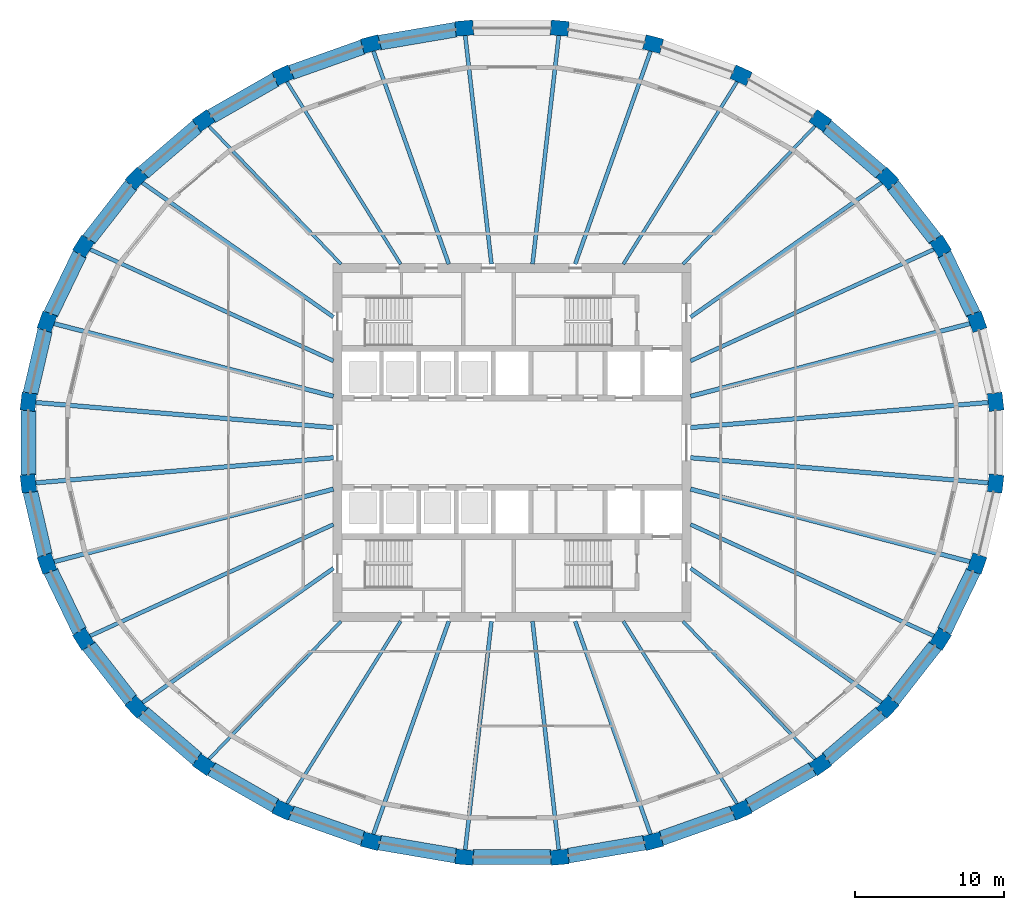
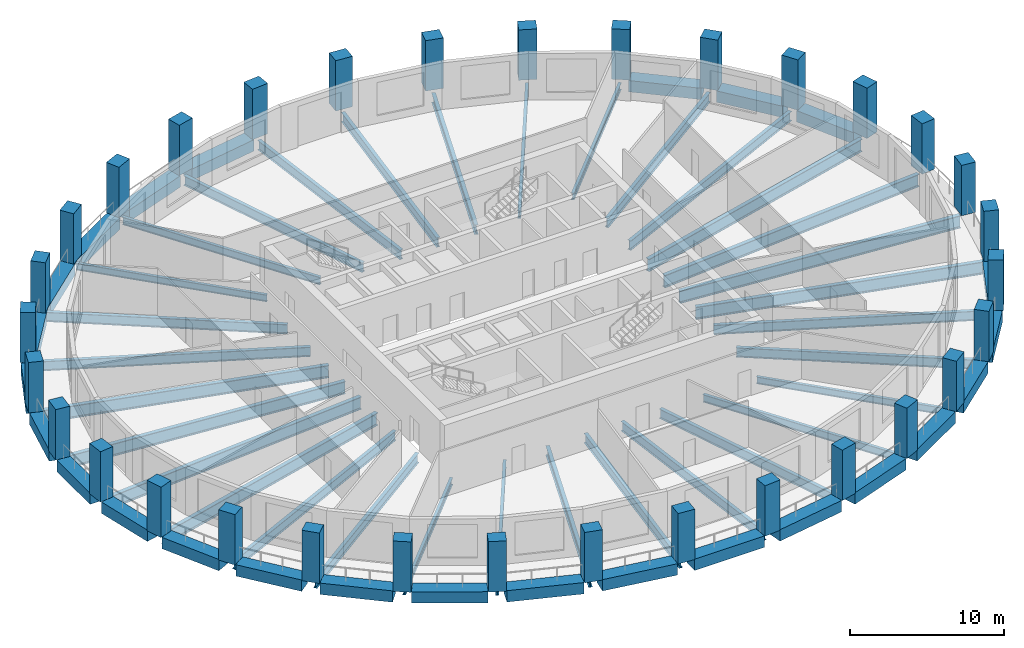
# One storey, part 1 of 10: 57 beams, 32 columns.
"""IFC4 building model written with IfcOpenShell, lengths in metres."""

from ifc_helpers import new_model, si_unit, direction, frame, origin, origin_2d, place, context, subcontext, project, spatial, rectangle, i_section, extrude, material, material_profile, profile_set, type_object, element, save


model = new_model("IFC4")

# Units and contexts
model_context = context("Model", 3, precision=1e-05, world=origin(), true_north=direction((0.0, 1.0)))
body_context = subcontext(model_context, "Body", "Model", "MODEL_VIEW")
ifc_project = project(units=[si_unit("LENGTHUNIT", "METRE"), si_unit("AREAUNIT", "SQUARE_METRE"), si_unit("VOLUMEUNIT", "CUBIC_METRE"), si_unit("PLANEANGLEUNIT", "RADIAN"), si_unit("MASSUNIT", "GRAM", prefix="KILO")], contexts=[model_context])

# Site, building, storey
site_placement = place(None, origin())
site = spatial("IfcSite", under=ifc_project, at=site_placement, CompositionType="ELEMENT")
building_placement = place(site_placement, origin())
building = spatial("IfcBuilding", under=site, at=building_placement, Name="Halqa Exchange Tower", CompositionType="ELEMENT")
storey_placement = place(building_placement, frame((0.0, 0.0, 194.89990234375)))
storey = spatial("IfcBuildingStorey", under=building, at=storey_placement, Name="L44", CompositionType="ELEMENT", Elevation=194.89990234375)

# Columns
ifc_material_1 = material(Name="Concrete C60/75", Category="concrete")
ifc_material_profile_1 = material_profile(ifc_material_1, rectangle(XDim=1.199951171875, YDim=1.0, at=origin_2d()), Name="1200 x 1000")
ifc_profile_set_1 = profile_set([ifc_material_profile_1], Name="Concrete C60/75")
column_type = type_object("IfcColumnType", Name="RC ring column 1200 x 1000 C60/75", PredefinedType="COLUMN", material=ifc_profile_set_1)
for number, where, z_axis, x_axis, name in (
    (1, (32.422119140625, 2.737060546875, 0.0), (0.0, 0.0, 1.0), (-0.114149986297, 0.993463527578, 0.0), "Ring column 1"),
    (2, (31.176025390625, 8.106201171875, 0.0), (0.0, 0.0, 1.0), (-0.333625878908, 0.942705560036, 0.0), "Ring column 2"),
    (3, (28.73193359375, 13.163818359375, 0.0), (0.0, 0.0, 1.0), (-0.529144939165, 0.848531456904, 0.0), "Ring column 3"),
    (4, (25.183837890625, 17.71533203125, 0.0), (0.0, 0.0, 1.0), (-0.691576091297, 0.722303613411, 0.0), "Ring column 4"),
    (5, (20.667724609375, 21.586181640625, 0.0), (0.0, 0.0, 1.0), (-0.817905775493, 0.575352189893, 0.0), "Ring column 5"),
    (6, (15.357666015625, 24.62744140625, 0.0), (0.0, 0.0, 1.0), (-0.909125641902, 0.416521988898, 0.0), "Ring column 6"),
    (7, (9.457275390625, 26.722412109375, 0.0), (0.0, 0.0, 1.0), (-0.96782082117, 0.251640334823, 0.0), "Ring column 7"),
    (8, (3.193359375, 27.790283203125, 0.0), (0.0, 0.0, 1.0), (-0.99645595943, 0.084116115675, 0.0), "Ring column 8"),
    (9, (-3.193359375, 27.790283203125, 0.0), (0.0, 0.0, 1.0), (-0.99645595943, -0.084116115675, 0.0), "Ring column 9"),
    (10, (-9.457275390625, 26.722412109375, 0.0), (0.0, 0.0, 1.0), (-0.96782082117, -0.251640334823, 0.0), "Ring column 10"),
    (11, (-15.357666015625, 24.62744140625, 0.0), (0.0, 0.0, 1.0), (-0.909125641902, -0.416521988898, 0.0), "Ring column 11"),
    (12, (-20.667724609375, 21.586181640625, 0.0), (0.0, 0.0, 1.0), (-0.817905775493, -0.575352189893, 0.0), "Ring column 12"),
    (13, (-25.183837890625, 17.71533203125, 0.0), (0.0, 0.0, 1.0), (-0.691576091297, -0.722303613411, 0.0), "Ring column 13"),
    (14, (-28.73193359375, 13.163818359375, 0.0), (0.0, 0.0, 1.0), (-0.529144939165, -0.848531456904, 0.0), "Ring column 14"),
    (15, (-31.176025390625, 8.106201171875, 0.0), (0.0, 0.0, 1.0), (-0.333625878908, -0.942705560036, 0.0), "Ring column 15"),
    (16, (-32.422119140625, 2.737060546875, 0.0), (0.0, 0.0, 1.0), (-0.114149986297, -0.993463527578, 0.0), "Ring column 16"),
    (17, (-32.422119140625, -2.737060546875, 0.0), (0.0, 0.0, 1.0), (0.114149986297, -0.993463527578, 0.0), "Ring column 17"),
    (18, (-31.176025390625, -8.106201171875, 0.0), (0.0, 0.0, 1.0), (0.333625878908, -0.942705560036, 0.0), "Ring column 18"),
    (19, (-28.73193359375, -13.163818359375, 0.0), (0.0, 0.0, 1.0), (0.529144939165, -0.848531456904, 0.0), "Ring column 19"),
    (20, (-25.183837890625, -17.71533203125, 0.0), (0.0, 0.0, 1.0), (0.691576091297, -0.722303613411, 0.0), "Ring column 20"),
    (21, (-20.667724609375, -21.586181640625, 0.0), (0.0, 0.0, 1.0), (0.817905775493, -0.575352189893, 0.0), "Ring column 21"),
    (22, (-15.357666015625, -24.62744140625, 0.0), (0.0, 0.0, 1.0), (0.909125641902, -0.416521988898, 0.0), "Ring column 22"),
    (23, (-9.457275390625, -26.722412109375, 0.0), (0.0, 0.0, 1.0), (0.96782082117, -0.251640334823, 0.0), "Ring column 23"),
    (24, (-3.193359375, -27.790283203125, 0.0), (0.0, 0.0, 1.0), (0.99645595943, -0.084116115675, 0.0), "Ring column 24"),
    (25, (3.193359375, -27.790283203125, 0.0), (0.0, 0.0, 1.0), (0.99645595943, 0.084116115675, 0.0), "Ring column 25"),
    (26, (9.457275390625, -26.722412109375, 0.0), (0.0, 0.0, 1.0), (0.96782082117, 0.251640334823, 0.0), "Ring column 26"),
    (27, (15.357666015625, -24.62744140625, 0.0), (0.0, 0.0, 1.0), (0.909125641902, 0.416521988898, 0.0), "Ring column 27"),
    (28, (20.667724609375, -21.586181640625, 0.0), (0.0, 0.0, 1.0), (0.817905775493, 0.575352189893, 0.0), "Ring column 28"),
    (29, (25.183837890625, -17.71533203125, 0.0), (0.0, 0.0, 1.0), (0.691576091297, 0.722303613411, 0.0), "Ring column 29"),
    (30, (28.73193359375, -13.163818359375, 0.0), (0.0, 0.0, 1.0), (0.529144939165, 0.848531456904, 0.0), "Ring column 30"),
    (31, (31.176025390625, -8.106201171875, 0.0), (0.0, 0.0, 1.0), (0.333625878908, 0.942705560036, 0.0), "Ring column 31"),
    (32, (32.422119140625, -2.737060546875, 0.0), (0.0, 0.0, 1.0), (0.114149986297, 0.993463527578, 0.0), "Ring column 32"),
):
    element("IfcColumn", number, at=place(storey_placement, frame(where, z_axis=z_axis, x_axis=x_axis)), inside=storey, type_object=column_type, Name=name, PredefinedType="COLUMN", context=body_context, shape_type="SweptSolid", body=[
        extrude(rectangle(XDim=1.199951171875, YDim=1.0, at=origin_2d()), origin(), (0.0, 0.0, 1.0), 4.0),
    ])

# Beams
ifc_material_2 = material(Name="Steel S355", Category="steel")
ifc_material_profile_2 = material_profile(ifc_material_2, i_section(OverallWidth=0.300048828125, OverallDepth=0.989990234375, WebThickness=0.0166015625, FlangeThickness=0.031005859375, FilletRadius=0.030029296875, at=origin_2d()), Name="HEA 1000")
ifc_profile_set_2 = profile_set([ifc_material_profile_2], Name="Steel S355")
beam_type_1 = type_object("IfcBeamType", Name="Floor beam HEA 1000", PredefinedType="BEAM", material=ifc_profile_set_2)
beam_1_placement = place(storey_placement, frame((11.972412109375, 1.0107421875, -0.794921875), z_axis=(0.996455519118, 0.084121331533, 0.0), x_axis=(-0.084121331533, 0.996455519118, 0.0)))
element("IfcBeam", 33, at=beam_1_placement, inside=storey, type_object=beam_type_1, Name="Radial beam 1", PredefinedType="BEAM", context=body_context, shape_type="SweptSolid", body=[
    extrude(i_section(OverallWidth=0.300048828125, OverallDepth=0.989990234375, WebThickness=0.0166015625, FlangeThickness=0.031005859375, FilletRadius=0.030029296875, at=origin_2d()), origin(), (0.0, 0.0, 1.0), 20.150390625),
])
for number, where, z_axis, x_axis, name in (
    (34, (11.97119140625, 3.112548828125, -0.794921875), (0.967819636099, 0.251644892619, 0.0), (-0.251644892619, 0.967819636099, 0.0), "Radial beam 2"),
    (35, (-11.97119140625, 3.112548828125, -0.794921875), (-0.967819636099, 0.251644892619, 0.0), (-0.251644892619, -0.967819636099, 0.0), "Radial beam 15"),
):
    element("IfcBeam", number, at=place(storey_placement, frame(where, z_axis=z_axis, x_axis=x_axis)), inside=storey, type_object=beam_type_1, Name=name, PredefinedType="BEAM", context=body_context, shape_type="SweptSolid", body=[
        extrude(i_section(OverallWidth=0.300048828125, OverallDepth=0.989990234375, WebThickness=0.0166015625, FlangeThickness=0.031005859375, FilletRadius=0.030029296875, at=origin_2d()), origin(), (0.0, 0.0, 1.0), 19.469482421875),
    ])
for number, where, z_axis, x_axis, name in (
    (36, (-11.972412109375, 1.0107421875, -0.794921875), (-0.996455519118, 0.084121331533, 0.0), (-0.084121331533, -0.996455519118, 0.0), "Radial beam 16"),
    (37, (-11.972412109375, -1.0107421875, -0.794921875), (-0.996455519118, -0.084121331533, 0.0), (0.084121331533, -0.996455519118, 0.0), "Radial beam 17"),
):
    element("IfcBeam", number, at=place(storey_placement, frame(where, z_axis=z_axis, x_axis=x_axis)), inside=storey, type_object=beam_type_1, Name=name, PredefinedType="BEAM", context=body_context, shape_type="SweptSolid", body=[
        extrude(i_section(OverallWidth=0.300048828125, OverallDepth=0.989990234375, WebThickness=0.0166015625, FlangeThickness=0.031005859375, FilletRadius=0.030029296875, at=origin_2d()), origin(), (0.0, 0.0, 1.0), 20.150390625),
    ])
for number, where, z_axis, x_axis, name in (
    (38, (-11.97119140625, -3.112548828125, -0.794921875), (-0.967819636099, -0.251644892619, 0.0), (0.251644892619, -0.967819636099, 0.0), "Radial beam 18"),
    (39, (11.97119140625, -3.112548828125, -0.794921875), (0.967819636099, -0.251644892619, 0.0), (0.251644892619, 0.967819636099, 0.0), "Radial beam 31"),
):
    element("IfcBeam", number, at=place(storey_placement, frame(where, z_axis=z_axis, x_axis=x_axis)), inside=storey, type_object=beam_type_1, Name=name, PredefinedType="BEAM", context=body_context, shape_type="SweptSolid", body=[
        extrude(i_section(OverallWidth=0.300048828125, OverallDepth=0.989990234375, WebThickness=0.0166015625, FlangeThickness=0.031005859375, FilletRadius=0.030029296875, at=origin_2d()), origin(), (0.0, 0.0, 1.0), 19.469482421875),
    ])
beam_2_placement = place(storey_placement, frame((11.972412109375, -1.0107421875, -0.794921875), z_axis=(0.996455519118, -0.084121331533, 0.0), x_axis=(0.084121331533, 0.996455519118, 0.0)))
element("IfcBeam", 40, at=beam_2_placement, inside=storey, type_object=beam_type_1, Name="Radial beam 32", PredefinedType="BEAM", context=body_context, shape_type="SweptSolid", body=[
    extrude(i_section(OverallWidth=0.300048828125, OverallDepth=0.989990234375, WebThickness=0.0166015625, FlangeThickness=0.031005859375, FilletRadius=0.030029296875, at=origin_2d()), origin(), (0.0, 0.0, 1.0), 20.150390625),
])
ifc_material_profile_3 = material_profile(ifc_material_2, i_section(OverallWidth=0.2099609375, OverallDepth=0.550048828125, WebThickness=0.010986328125, FlangeThickness=0.01708984375, FilletRadius=0.02392578125, at=origin_2d()), Name="IPE 550")
ifc_profile_set_3 = profile_set([ifc_material_profile_3], Name="Steel S355")
beam_type_2 = type_object("IfcBeamType", Name="Floor beam IPE 550", PredefinedType="BEAM", material=ifc_profile_set_3)
for number, where, z_axis, x_axis, name in (
    (41, (11.462646484375, 11.971923828125, -0.574951171875), (0.691565841916, 0.722313426634, 0.0), (-0.722313426634, 0.691565841916, 0.0), "Radial beam 5"),
    (42, (-11.462646484375, 11.971923828125, -0.574951171875), (-0.691565841916, 0.722313426634, 0.0), (-0.722313426634, -0.691565841916, 0.0), "Radial beam 12"),
    (43, (-11.462646484375, -11.971923828125, -0.574951171875), (-0.691565841916, -0.722313426634, 0.0), (0.722313426634, -0.691565841916, 0.0), "Radial beam 21"),
    (44, (11.462646484375, -11.971923828125, -0.574951171875), (0.691565841916, -0.722313426634, 0.0), (0.722313426634, 0.691565841916, 0.0), "Radial beam 28"),
):
    element("IfcBeam", number, at=place(storey_placement, frame(where, z_axis=z_axis, x_axis=x_axis)), inside=storey, type_object=beam_type_2, Name=name, PredefinedType="BEAM", context=body_context, shape_type="SweptSolid", body=[
        extrude(i_section(OverallWidth=0.2099609375, OverallDepth=0.550048828125, WebThickness=0.010986328125, FlangeThickness=0.01708984375, FilletRadius=0.02392578125, at=origin_2d()), origin(), (0.0, 0.0, 1.0), 12.9345703125),
    ])
ifc_material_profile_4 = material_profile(ifc_material_2, i_section(OverallWidth=0.219970703125, OverallDepth=0.60009765625, WebThickness=0.011962890625, FlangeThickness=0.01904296875, FilletRadius=0.02392578125, at=origin_2d()), Name="IPE 600")
ifc_profile_set_4 = profile_set([ifc_material_profile_4], Name="Steel S355")
beam_type_3 = type_object("IfcBeamType", Name="Floor beam IPE 600", PredefinedType="BEAM", material=ifc_profile_set_4)
for number, where, z_axis, x_axis, name in (
    (45, (7.4658203125, 11.972412109375, -0.599853515625), (0.529145816582, 0.848530909746, 0.0), (-0.848530909746, 0.529145816582, 0.0), "Radial beam 6"),
    (46, (-7.4658203125, 11.972412109375, -0.599853515625), (-0.529145816582, 0.848530909746, 0.0), (-0.848530909746, -0.529145816582, 0.0), "Radial beam 11"),
    (47, (-7.4658203125, -11.972412109375, -0.599853515625), (-0.529145816582, -0.848530909746, 0.0), (0.848530909746, -0.529145816582, 0.0), "Radial beam 22"),
    (48, (7.4658203125, -11.972412109375, -0.599853515625), (0.529145816582, -0.848530909746, 0.0), (0.848530909746, 0.529145816582, 0.0), "Radial beam 27"),
):
    element("IfcBeam", number, at=place(storey_placement, frame(where, z_axis=z_axis, x_axis=x_axis)), inside=storey, type_object=beam_type_3, Name=name, PredefinedType="BEAM", context=body_context, shape_type="SweptSolid", body=[
        extrude(i_section(OverallWidth=0.219970703125, OverallDepth=0.60009765625, WebThickness=0.011962890625, FlangeThickness=0.01904296875, FilletRadius=0.02392578125, at=origin_2d()), origin(), (0.0, 0.0, 1.0), 14.538330078125),
    ])
ifc_material_profile_5 = material_profile(ifc_material_2, i_section(OverallWidth=0.264892578125, OverallDepth=0.7529296875, WebThickness=0.01318359375, FlangeThickness=0.01708984375, FilletRadius=0.01708984375, at=origin_2d()), Name="IPE 750x147")
ifc_profile_set_5 = profile_set([ifc_material_profile_5], Name="Steel S355")
beam_type_4 = type_object("IfcBeamType", Name="Floor beam IPE 750x147", PredefinedType="BEAM", material=ifc_profile_set_5)
beam_3_placement = place(storey_placement, frame((11.972412109375, 5.4853515625, -0.676513671875), z_axis=(0.909129033384, 0.416514586369, 0.0), x_axis=(-0.416514586369, 0.909129033384, 0.0)))
element("IfcBeam", 49, at=beam_3_placement, inside=storey, type_object=beam_type_4, Name="Radial beam 3", PredefinedType="BEAM", context=body_context, shape_type="SweptSolid", body=[
    extrude(i_section(OverallWidth=0.264892578125, OverallDepth=0.7529296875, WebThickness=0.01318359375, FlangeThickness=0.01708984375, FilletRadius=0.01708984375, at=origin_2d()), origin(), (0.0, 0.0, 1.0), 18.058837890625),
])
beam_4_placement = place(storey_placement, frame((11.97216796875, 8.421630859375, -0.676513671875), z_axis=(0.817902974143, 0.5753561722, 0.0), x_axis=(-0.5753561722, 0.817902974143, 0.0)))
element("IfcBeam", 50, at=beam_4_placement, inside=storey, type_object=beam_type_4, Name="Radial beam 4", PredefinedType="BEAM", context=body_context, shape_type="SweptSolid", body=[
    extrude(i_section(OverallWidth=0.264892578125, OverallDepth=0.7529296875, WebThickness=0.01318359375, FlangeThickness=0.01708984375, FilletRadius=0.01708984375, at=origin_2d()), origin(), (0.0, 0.0, 1.0), 15.777099609375),
])
beam_5_placement = place(storey_placement, frame((4.23681640625, 11.9716796875, -0.676513671875), z_axis=(0.333634381402, 0.942702550939, 0.0), x_axis=(-0.942702550939, 0.333634381402, 0.0)))
element("IfcBeam", 51, at=beam_5_placement, inside=storey, type_object=beam_type_4, Name="Radial beam 7", PredefinedType="BEAM", context=body_context, shape_type="SweptSolid", body=[
    extrude(i_section(OverallWidth=0.264892578125, OverallDepth=0.7529296875, WebThickness=0.01318359375, FlangeThickness=0.01708984375, FilletRadius=0.01708984375, at=origin_2d()), origin(), (0.0, 0.0, 1.0), 15.273193359375),
])
for number, where, z_axis, x_axis, name in (
    (52, (1.375732421875, 11.972900390625, -0.676513671875), (0.114161639425, 0.993462188553, 0.0), (-0.993462188553, 0.114161639425, 0.0), "Radial beam 8"),
    (53, (-1.375732421875, 11.972900390625, -0.676513671875), (-0.114161639425, 0.993462188553, 0.0), (-0.993462188553, -0.114161639425, 0.0), "Radial beam 9"),
):
    element("IfcBeam", number, at=place(storey_placement, frame(where, z_axis=z_axis, x_axis=x_axis)), inside=storey, type_object=beam_type_4, Name=name, PredefinedType="BEAM", context=body_context, shape_type="SweptSolid", body=[
        extrude(i_section(OverallWidth=0.264892578125, OverallDepth=0.7529296875, WebThickness=0.01318359375, FlangeThickness=0.01708984375, FilletRadius=0.01708984375, at=origin_2d()), origin(), (0.0, 0.0, 1.0), 15.54931640625),
    ])
beam_6_placement = place(storey_placement, frame((-4.23681640625, 11.9716796875, -0.676513671875), z_axis=(-0.333634381402, 0.942702550939, 0.0), x_axis=(-0.942702550939, -0.333634381402, 0.0)))
element("IfcBeam", 54, at=beam_6_placement, inside=storey, type_object=beam_type_4, Name="Radial beam 10", PredefinedType="BEAM", context=body_context, shape_type="SweptSolid", body=[
    extrude(i_section(OverallWidth=0.264892578125, OverallDepth=0.7529296875, WebThickness=0.01318359375, FlangeThickness=0.01708984375, FilletRadius=0.01708984375, at=origin_2d()), origin(), (0.0, 0.0, 1.0), 15.273193359375),
])
beam_7_placement = place(storey_placement, frame((-11.97216796875, 8.421630859375, -0.676513671875), z_axis=(-0.817902974143, 0.5753561722, 0.0), x_axis=(-0.5753561722, -0.817902974143, 0.0)))
element("IfcBeam", 55, at=beam_7_placement, inside=storey, type_object=beam_type_4, Name="Radial beam 13", PredefinedType="BEAM", context=body_context, shape_type="SweptSolid", body=[
    extrude(i_section(OverallWidth=0.264892578125, OverallDepth=0.7529296875, WebThickness=0.01318359375, FlangeThickness=0.01708984375, FilletRadius=0.01708984375, at=origin_2d()), origin(), (0.0, 0.0, 1.0), 15.777099609375),
])
for number, where, z_axis, x_axis, name in (
    (56, (-11.972412109375, 5.4853515625, -0.676513671875), (-0.909129033384, 0.416514586369, 0.0), (-0.416514586369, -0.909129033384, 0.0), "Radial beam 14"),
    (57, (-11.972412109375, -5.4853515625, -0.676513671875), (-0.909129033384, -0.416514586369, 0.0), (0.416514586369, -0.909129033384, 0.0), "Radial beam 19"),
):
    element("IfcBeam", number, at=place(storey_placement, frame(where, z_axis=z_axis, x_axis=x_axis)), inside=storey, type_object=beam_type_4, Name=name, PredefinedType="BEAM", context=body_context, shape_type="SweptSolid", body=[
        extrude(i_section(OverallWidth=0.264892578125, OverallDepth=0.7529296875, WebThickness=0.01318359375, FlangeThickness=0.01708984375, FilletRadius=0.01708984375, at=origin_2d()), origin(), (0.0, 0.0, 1.0), 18.058837890625),
    ])
beam_8_placement = place(storey_placement, frame((-11.97216796875, -8.421630859375, -0.676513671875), z_axis=(-0.817902974143, -0.5753561722, 0.0), x_axis=(0.5753561722, -0.817902974143, 0.0)))
element("IfcBeam", 58, at=beam_8_placement, inside=storey, type_object=beam_type_4, Name="Radial beam 20", PredefinedType="BEAM", context=body_context, shape_type="SweptSolid", body=[
    extrude(i_section(OverallWidth=0.264892578125, OverallDepth=0.7529296875, WebThickness=0.01318359375, FlangeThickness=0.01708984375, FilletRadius=0.01708984375, at=origin_2d()), origin(), (0.0, 0.0, 1.0), 15.777099609375),
])
beam_9_placement = place(storey_placement, frame((-4.23681640625, -11.9716796875, -0.676513671875), z_axis=(-0.333634381402, -0.942702550939, 0.0), x_axis=(0.942702550939, -0.333634381402, 0.0)))
element("IfcBeam", 59, at=beam_9_placement, inside=storey, type_object=beam_type_4, Name="Radial beam 23", PredefinedType="BEAM", context=body_context, shape_type="SweptSolid", body=[
    extrude(i_section(OverallWidth=0.264892578125, OverallDepth=0.7529296875, WebThickness=0.01318359375, FlangeThickness=0.01708984375, FilletRadius=0.01708984375, at=origin_2d()), origin(), (0.0, 0.0, 1.0), 15.273193359375),
])
for number, where, z_axis, x_axis, name in (
    (60, (-1.375732421875, -11.972900390625, -0.676513671875), (-0.114161639425, -0.993462188553, 0.0), (0.993462188553, -0.114161639425, 0.0), "Radial beam 24"),
    (61, (1.375732421875, -11.972900390625, -0.676513671875), (0.114161639425, -0.993462188553, 0.0), (0.993462188553, 0.114161639425, 0.0), "Radial beam 25"),
):
    element("IfcBeam", number, at=place(storey_placement, frame(where, z_axis=z_axis, x_axis=x_axis)), inside=storey, type_object=beam_type_4, Name=name, PredefinedType="BEAM", context=body_context, shape_type="SweptSolid", body=[
        extrude(i_section(OverallWidth=0.264892578125, OverallDepth=0.7529296875, WebThickness=0.01318359375, FlangeThickness=0.01708984375, FilletRadius=0.01708984375, at=origin_2d()), origin(), (0.0, 0.0, 1.0), 15.54931640625),
    ])
beam_10_placement = place(storey_placement, frame((4.23681640625, -11.9716796875, -0.676513671875), z_axis=(0.333634381402, -0.942702550939, 0.0), x_axis=(0.942702550939, 0.333634381402, 0.0)))
element("IfcBeam", 62, at=beam_10_placement, inside=storey, type_object=beam_type_4, Name="Radial beam 26", PredefinedType="BEAM", context=body_context, shape_type="SweptSolid", body=[
    extrude(i_section(OverallWidth=0.264892578125, OverallDepth=0.7529296875, WebThickness=0.01318359375, FlangeThickness=0.01708984375, FilletRadius=0.01708984375, at=origin_2d()), origin(), (0.0, 0.0, 1.0), 15.273193359375),
])
beam_11_placement = place(storey_placement, frame((11.97216796875, -8.421630859375, -0.676513671875), z_axis=(0.817902974143, -0.5753561722, 0.0), x_axis=(0.5753561722, 0.817902974143, 0.0)))
element("IfcBeam", 63, at=beam_11_placement, inside=storey, type_object=beam_type_4, Name="Radial beam 29", PredefinedType="BEAM", context=body_context, shape_type="SweptSolid", body=[
    extrude(i_section(OverallWidth=0.264892578125, OverallDepth=0.7529296875, WebThickness=0.01318359375, FlangeThickness=0.01708984375, FilletRadius=0.01708984375, at=origin_2d()), origin(), (0.0, 0.0, 1.0), 15.777099609375),
])
beam_12_placement = place(storey_placement, frame((11.972412109375, -5.4853515625, -0.676513671875), z_axis=(0.909129033384, -0.416514586369, 0.0), x_axis=(0.416514586369, 0.909129033384, 0.0)))
element("IfcBeam", 64, at=beam_12_placement, inside=storey, type_object=beam_type_4, Name="Radial beam 30", PredefinedType="BEAM", context=body_context, shape_type="SweptSolid", body=[
    extrude(i_section(OverallWidth=0.264892578125, OverallDepth=0.7529296875, WebThickness=0.01318359375, FlangeThickness=0.01708984375, FilletRadius=0.01708984375, at=origin_2d()), origin(), (0.0, 0.0, 1.0), 18.058837890625),
])
ifc_material_profile_6 = material_profile(ifc_material_1, rectangle(XDim=1.0, YDim=0.89990234375, at=origin_2d()), Name="1000 x 900")
ifc_profile_set_6 = profile_set([ifc_material_profile_6], Name="Concrete C60/75")
beam_type_5 = type_object("IfcBeamType", Name="RC spandrel beam 1000 x 900 C60/75", PredefinedType="SPANDREL", material=ifc_profile_set_6)
beam_13_placement = place(storey_placement, frame((30.926025390625, 8.62353515625, -0.449951171875), z_axis=(-0.435105156269, 0.90037964381, 0.0), x_axis=(-0.90037964381, -0.435105156269, 0.0)))
element("IfcBeam", 65, at=beam_13_placement, inside=storey, type_object=beam_type_5, Name="Spandrel 2", PredefinedType="SPANDREL", context=body_context, shape_type="SweptSolid", body=[
    extrude(rectangle(XDim=1.0, YDim=0.89990234375, at=origin_2d()), origin(), (0.0, 0.0, 1.0), 4.467041015625),
])
beam_14_placement = place(storey_placement, frame((28.37890625, 13.61669921875, -0.449951171875), z_axis=(-0.61482158331, 0.788666228956, 0.0), x_axis=(-0.788666228956, -0.61482158331, 0.0)))
element("IfcBeam", 66, at=beam_14_placement, inside=storey, type_object=beam_type_5, Name="Spandrel 3", PredefinedType="SPANDREL", context=body_context, shape_type="SweptSolid", body=[
    extrude(rectangle(XDim=1.0, YDim=0.89990234375, at=origin_2d()), origin(), (0.0, 0.0, 1.0), 4.621826171875),
])
beam_15_placement = place(storey_placement, frame((24.748046875, 18.088623046875, -0.449951171875), z_axis=(-0.759224286628, 0.650829073255, 0.0), x_axis=(-0.650829073255, -0.759224286628, 0.0)))
element("IfcBeam", 67, at=beam_15_placement, inside=storey, type_object=beam_type_5, Name="Spandrel 4", PredefinedType="SPANDREL", context=body_context, shape_type="SweptSolid", body=[
    extrude(rectangle(XDim=1.0, YDim=0.89990234375, at=origin_2d()), origin(), (0.0, 0.0, 1.0), 4.7998046875),
])
beam_16_placement = place(storey_placement, frame((-3.7587890625, 27.69384765625, -0.449951171875), z_axis=(-0.98577756744, -0.168055310931, 0.0), x_axis=(0.168055310931, -0.98577756744, 0.0)))
element("IfcBeam", 68, at=beam_16_placement, inside=storey, type_object=beam_type_5, Name="Spandrel 9", PredefinedType="SPANDREL", context=body_context, shape_type="SweptSolid", body=[
    extrude(rectangle(XDim=1.0, YDim=0.89990234375, at=origin_2d()), origin(), (0.0, 0.0, 1.0), 5.20654296875),
])
beam_17_placement = place(storey_placement, frame((-9.998779296875, 26.530029296875, -0.449951171875), z_axis=(-0.942368993824, -0.334575371895, 0.0), x_axis=(0.334575371895, -0.942368993824, 0.0)))
element("IfcBeam", 69, at=beam_17_placement, inside=storey, type_object=beam_type_5, Name="Spandrel 10", PredefinedType="SPANDREL", context=body_context, shape_type="SweptSolid", body=[
    extrude(rectangle(XDim=1.0, YDim=0.89990234375, at=origin_2d()), origin(), (0.0, 0.0, 1.0), 5.113037109375),
])
beam_18_placement = place(storey_placement, frame((-15.85595703125, 24.342041015625, -0.449951171875), z_axis=(-0.867771135112, -0.496964040013, 0.0), x_axis=(0.496964040013, -0.867771135112, 0.0)))
element("IfcBeam", 70, at=beam_18_placement, inside=storey, type_object=beam_type_5, Name="Spandrel 11", PredefinedType="SPANDREL", context=body_context, shape_type="SweptSolid", body=[
    extrude(rectangle(XDim=1.0, YDim=0.89990234375, at=origin_2d()), origin(), (0.0, 0.0, 1.0), 4.9697265625),
])
beam_19_placement = place(storey_placement, frame((-21.10400390625, 21.21240234375, -0.449951171875), z_axis=(-0.759224286628, -0.650829073255, 0.0), x_axis=(0.650829073255, -0.759224286628, 0.0)))
element("IfcBeam", 71, at=beam_19_placement, inside=storey, type_object=beam_type_5, Name="Spandrel 12", PredefinedType="SPANDREL", context=body_context, shape_type="SweptSolid", body=[
    extrude(rectangle(XDim=1.0, YDim=0.89990234375, at=origin_2d()), origin(), (0.0, 0.0, 1.0), 4.7998046875),
])
beam_20_placement = place(storey_placement, frame((-25.537353515625, 17.26171875, -0.449951171875), z_axis=(-0.61482158331, -0.788666228956, 0.0), x_axis=(0.788666228956, -0.61482158331, 0.0)))
element("IfcBeam", 72, at=beam_20_placement, inside=storey, type_object=beam_type_5, Name="Spandrel 13", PredefinedType="SPANDREL", context=body_context, shape_type="SweptSolid", body=[
    extrude(rectangle(XDim=1.0, YDim=0.89990234375, at=origin_2d()), origin(), (0.0, 0.0, 1.0), 4.621826171875),
])
beam_21_placement = place(storey_placement, frame((-28.982421875, 12.6455078125, -0.449951171875), z_axis=(-0.435105156269, -0.90037964381, 0.0), x_axis=(0.90037964381, -0.435105156269, 0.0)))
element("IfcBeam", 73, at=beam_21_placement, inside=storey, type_object=beam_type_5, Name="Spandrel 14", PredefinedType="SPANDREL", context=body_context, shape_type="SweptSolid", body=[
    extrude(rectangle(XDim=1.0, YDim=0.89990234375, at=origin_2d()), origin(), (0.0, 0.0, 1.0), 4.467041015625),
])
beam_22_placement = place(storey_placement, frame((-31.30615234375, 7.54541015625, -0.449951171875), z_axis=(-0.226069928804, -0.974111075438, 0.0), x_axis=(0.974111075438, -0.226069928804, 0.0)))
element("IfcBeam", 74, at=beam_22_placement, inside=storey, type_object=beam_type_5, Name="Spandrel 15", PredefinedType="SPANDREL", context=body_context, shape_type="SweptSolid", body=[
    extrude(rectangle(XDim=1.0, YDim=0.89990234375, at=origin_2d()), origin(), (0.0, 0.0, 1.0), 4.359619140625),
])
beam_23_placement = place(storey_placement, frame((-32.422119140625, 2.160400390625, -0.449951171875), z_axis=(0.0, -1.0, 0.0), x_axis=(1.0, 0.0, 0.0)))
element("IfcBeam", 75, at=beam_23_placement, inside=storey, type_object=beam_type_5, Name="Spandrel 16", PredefinedType="SPANDREL", context=body_context, shape_type="SweptSolid", body=[
    extrude(rectangle(XDim=1.0, YDim=0.89990234375, at=origin_2d()), origin(), (0.0, 0.0, 1.0), 4.32080078125),
])
beam_24_placement = place(storey_placement, frame((-32.291748046875, -3.298583984375, -0.449951171875), z_axis=(0.226069928804, -0.974111075438, 0.0), x_axis=(0.974111075438, 0.226069928804, 0.0)))
element("IfcBeam", 76, at=beam_24_placement, inside=storey, type_object=beam_type_5, Name="Spandrel 17", PredefinedType="SPANDREL", context=body_context, shape_type="SweptSolid", body=[
    extrude(rectangle(XDim=1.0, YDim=0.89990234375, at=origin_2d()), origin(), (0.0, 0.0, 1.0), 4.359619140625),
])
beam_25_placement = place(storey_placement, frame((-30.926025390625, -8.62353515625, -0.449951171875), z_axis=(0.435105156269, -0.90037964381, 0.0), x_axis=(0.90037964381, 0.435105156269, 0.0)))
element("IfcBeam", 77, at=beam_25_placement, inside=storey, type_object=beam_type_5, Name="Spandrel 18", PredefinedType="SPANDREL", context=body_context, shape_type="SweptSolid", body=[
    extrude(rectangle(XDim=1.0, YDim=0.89990234375, at=origin_2d()), origin(), (0.0, 0.0, 1.0), 4.467041015625),
])
beam_26_placement = place(storey_placement, frame((-28.37890625, -13.61669921875, -0.449951171875), z_axis=(0.61482158331, -0.788666228956, 0.0), x_axis=(0.788666228956, 0.61482158331, 0.0)))
element("IfcBeam", 78, at=beam_26_placement, inside=storey, type_object=beam_type_5, Name="Spandrel 19", PredefinedType="SPANDREL", context=body_context, shape_type="SweptSolid", body=[
    extrude(rectangle(XDim=1.0, YDim=0.89990234375, at=origin_2d()), origin(), (0.0, 0.0, 1.0), 4.621826171875),
])
beam_27_placement = place(storey_placement, frame((-24.748046875, -18.088623046875, -0.449951171875), z_axis=(0.759224286628, -0.650829073255, 0.0), x_axis=(0.650829073255, 0.759224286628, 0.0)))
element("IfcBeam", 79, at=beam_27_placement, inside=storey, type_object=beam_type_5, Name="Spandrel 20", PredefinedType="SPANDREL", context=body_context, shape_type="SweptSolid", body=[
    extrude(rectangle(XDim=1.0, YDim=0.89990234375, at=origin_2d()), origin(), (0.0, 0.0, 1.0), 4.7998046875),
])
beam_28_placement = place(storey_placement, frame((-20.16845703125, -21.872314453125, -0.449951171875), z_axis=(0.867771135112, -0.496964040013, 0.0), x_axis=(0.496964040013, 0.867771135112, 0.0)))
element("IfcBeam", 80, at=beam_28_placement, inside=storey, type_object=beam_type_5, Name="Spandrel 21", PredefinedType="SPANDREL", context=body_context, shape_type="SweptSolid", body=[
    extrude(rectangle(XDim=1.0, YDim=0.89990234375, at=origin_2d()), origin(), (0.0, 0.0, 1.0), 4.9697265625),
])
beam_29_placement = place(storey_placement, frame((-14.817138671875, -24.8193359375, -0.449951171875), z_axis=(0.942368993824, -0.334575371895, 0.0), x_axis=(0.334575371895, 0.942368993824, 0.0)))
element("IfcBeam", 81, at=beam_29_placement, inside=storey, type_object=beam_type_5, Name="Spandrel 22", PredefinedType="SPANDREL", context=body_context, shape_type="SweptSolid", body=[
    extrude(rectangle(XDim=1.0, YDim=0.89990234375, at=origin_2d()), origin(), (0.0, 0.0, 1.0), 5.113037109375),
])
beam_30_placement = place(storey_placement, frame((-8.891357421875, -26.81884765625, -0.449951171875), z_axis=(0.98577756744, -0.168055310931, 0.0), x_axis=(0.168055310931, 0.98577756744, 0.0)))
element("IfcBeam", 82, at=beam_30_placement, inside=storey, type_object=beam_type_5, Name="Spandrel 23", PredefinedType="SPANDREL", context=body_context, shape_type="SweptSolid", body=[
    extrude(rectangle(XDim=1.0, YDim=0.89990234375, at=origin_2d()), origin(), (0.0, 0.0, 1.0), 5.20654296875),
])
beam_31_placement = place(storey_placement, frame((-2.619873046875, -27.790283203125, -0.449951171875), z_axis=(1.0, 0.0, 0.0), x_axis=(0.0, 1.0, 0.0)))
element("IfcBeam", 83, at=beam_31_placement, inside=storey, type_object=beam_type_5, Name="Spandrel 24", PredefinedType="SPANDREL", context=body_context, shape_type="SweptSolid", body=[
    extrude(rectangle(XDim=1.0, YDim=0.89990234375, at=origin_2d()), origin(), (0.0, 0.0, 1.0), 5.23974609375),
])
beam_32_placement = place(storey_placement, frame((3.7587890625, -27.69384765625, -0.449951171875), z_axis=(0.98577756744, 0.168055310931, 0.0), x_axis=(-0.168055310931, 0.98577756744, 0.0)))
element("IfcBeam", 84, at=beam_32_placement, inside=storey, type_object=beam_type_5, Name="Spandrel 25", PredefinedType="SPANDREL", context=body_context, shape_type="SweptSolid", body=[
    extrude(rectangle(XDim=1.0, YDim=0.89990234375, at=origin_2d()), origin(), (0.0, 0.0, 1.0), 5.20654296875),
])
beam_33_placement = place(storey_placement, frame((9.998779296875, -26.530029296875, -0.449951171875), z_axis=(0.942368993824, 0.334575371895, 0.0), x_axis=(-0.334575371895, 0.942368993824, 0.0)))
element("IfcBeam", 85, at=beam_33_placement, inside=storey, type_object=beam_type_5, Name="Spandrel 26", PredefinedType="SPANDREL", context=body_context, shape_type="SweptSolid", body=[
    extrude(rectangle(XDim=1.0, YDim=0.89990234375, at=origin_2d()), origin(), (0.0, 0.0, 1.0), 5.113037109375),
])
beam_34_placement = place(storey_placement, frame((15.85595703125, -24.342041015625, -0.449951171875), z_axis=(0.867771135112, 0.496964040013, 0.0), x_axis=(-0.496964040013, 0.867771135112, 0.0)))
element("IfcBeam", 86, at=beam_34_placement, inside=storey, type_object=beam_type_5, Name="Spandrel 27", PredefinedType="SPANDREL", context=body_context, shape_type="SweptSolid", body=[
    extrude(rectangle(XDim=1.0, YDim=0.89990234375, at=origin_2d()), origin(), (0.0, 0.0, 1.0), 4.9697265625),
])
beam_35_placement = place(storey_placement, frame((21.10400390625, -21.21240234375, -0.449951171875), z_axis=(0.759224286628, 0.650829073255, 0.0), x_axis=(-0.650829073255, 0.759224286628, 0.0)))
element("IfcBeam", 87, at=beam_35_placement, inside=storey, type_object=beam_type_5, Name="Spandrel 28", PredefinedType="SPANDREL", context=body_context, shape_type="SweptSolid", body=[
    extrude(rectangle(XDim=1.0, YDim=0.89990234375, at=origin_2d()), origin(), (0.0, 0.0, 1.0), 4.7998046875),
])
beam_36_placement = place(storey_placement, frame((25.537353515625, -17.26171875, -0.449951171875), z_axis=(0.61482158331, 0.788666228956, 0.0), x_axis=(-0.788666228956, 0.61482158331, 0.0)))
element("IfcBeam", 88, at=beam_36_placement, inside=storey, type_object=beam_type_5, Name="Spandrel 29", PredefinedType="SPANDREL", context=body_context, shape_type="SweptSolid", body=[
    extrude(rectangle(XDim=1.0, YDim=0.89990234375, at=origin_2d()), origin(), (0.0, 0.0, 1.0), 4.621826171875),
])
beam_37_placement = place(storey_placement, frame((28.982421875, -12.6455078125, -0.449951171875), z_axis=(0.435105156269, 0.90037964381, 0.0), x_axis=(-0.90037964381, 0.435105156269, 0.0)))
element("IfcBeam", 89, at=beam_37_placement, inside=storey, type_object=beam_type_5, Name="Spandrel 30", PredefinedType="SPANDREL", context=body_context, shape_type="SweptSolid", body=[
    extrude(rectangle(XDim=1.0, YDim=0.89990234375, at=origin_2d()), origin(), (0.0, 0.0, 1.0), 4.467041015625),
])

save(model, "model.ifc")
